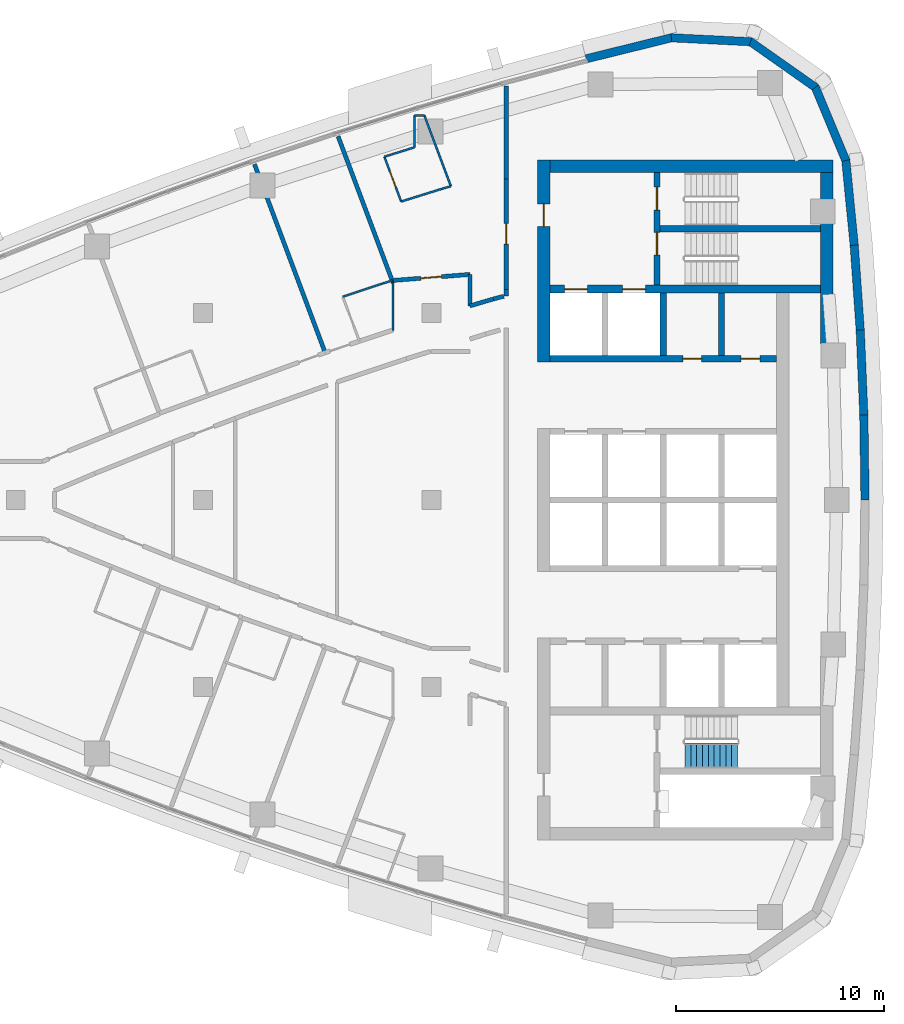
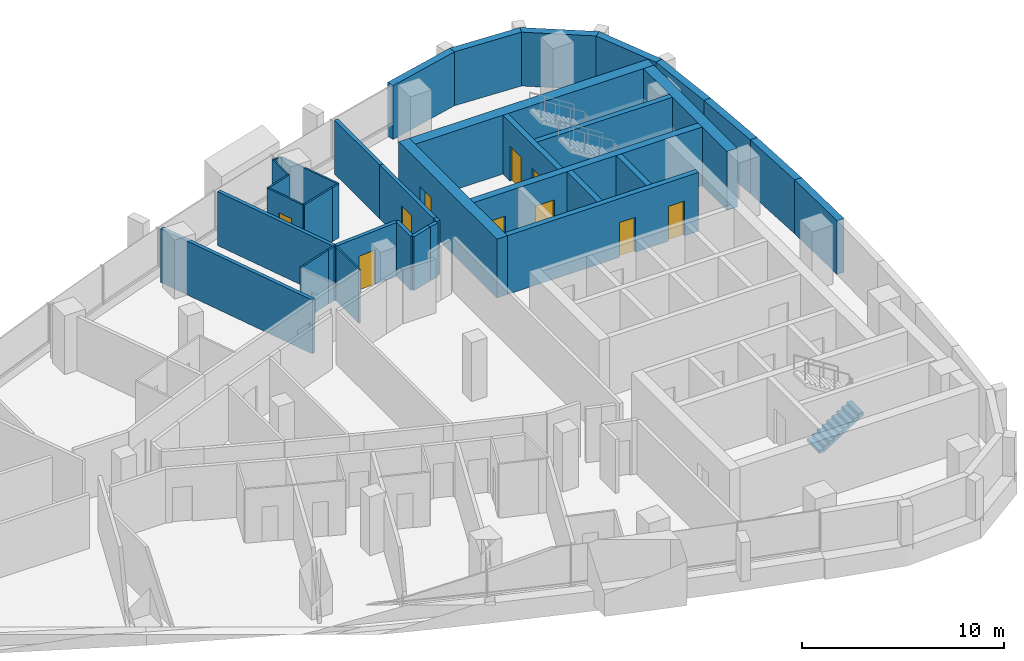
# One storey, part 11 of 16: 36 walls, 10 doors, 1 stair flight, 10 openings, 1 element without a shape of its own.
"""IFC4 building model written with IfcOpenShell, lengths in metres."""

from ifc_helpers import new_model, si_unit, direction, frame, frame_2d, origin, place, context, subcontext, project, spatial, polyline, rectangle, outline, extrude, material, layer, layer_set, type_object, element, fill, aggregate, save


model = new_model("IFC4")

# Units and contexts
model_context = context("Model", 3, precision=1e-05, world=origin(), true_north=direction((0.0, 1.0)))
body_context = subcontext(model_context, "Body", "Model", "MODEL_VIEW")
ifc_project = project(units=[si_unit("LENGTHUNIT", "METRE"), si_unit("AREAUNIT", "SQUARE_METRE"), si_unit("VOLUMEUNIT", "CUBIC_METRE"), si_unit("PLANEANGLEUNIT", "RADIAN"), si_unit("MASSUNIT", "GRAM", prefix="KILO")], contexts=[model_context])

# Site, building, storey
site_placement = place(None, origin())
site = spatial("IfcSite", under=ifc_project, at=site_placement, CompositionType="ELEMENT")
building_placement = place(site_placement, origin())
building = spatial("IfcBuilding", under=site, at=building_placement, Name="Ostrand Prow Hotel Tower", CompositionType="ELEMENT")
storey_placement = place(building_placement, frame((0.0, 0.0, 220.800048828125)))
storey = spatial("IfcBuildingStorey", under=building, at=storey_placement, Name="L55", CompositionType="ELEMENT", Elevation=220.800048828125)

# Wall, openings, doors
ifc_material_1 = material(Name="Concrete C50/60", Category="concrete")
ifc_layer_1 = layer(ifc_material_1, 0.300048828125)
ifc_layer_set_1 = layer_set([ifc_layer_1], Name="Concrete C50/60")
wall_type_1 = type_object("IfcWallType", Name="Core wall 300 C50/60", PredefinedType="SHEAR", material=ifc_layer_set_1)
wall_1_placement = place(storey_placement, frame((50.699951171875, 6.800048828125, 0.0), z_axis=(0.0, 0.0, 1.0), x_axis=(1.0, 0.0, 0.0)))
wall_1 = element("IfcWall", 1, at=wall_1_placement, inside=storey, type_object=wall_type_1, Name="Core wall PW-L2-N", PredefinedType="SHEAR", context=body_context, shape_type="SweptSolid", body=[
    extrude(rectangle(XDim=10.900146484375, YDim=0.300048828125, at=frame_2d((5.4501953125, 0.0))), origin(), (0.0, 0.0, 1.0), 3.550048828125),
])
opening_1_placement = place(wall_1_placement, frame((6.39990234375, 0.0, 0.0)))
opening_1 = element("IfcOpeningElement", 2, at=opening_1_placement, cuts=wall_1, Name="Opening FD2", PredefinedType="OPENING", context=body_context, shape_type="SweptSolid", body=[
    extrude(rectangle(XDim=0.89990234375, YDim=2.10009765625, at=frame_2d((0.449951171875, 1.050048828125))), frame((0.0, 0.159912109375, 0.0), z_axis=(0.0, -1.0, 0.0), x_axis=(1.0, 0.0, 0.0)), (0.0, 0.0, 1.0), 0.320068359375),
])
opening_2_placement = place(wall_1_placement, frame((9.199951171875, 0.0, 0.0)))
opening_2 = element("IfcOpeningElement", 3, at=opening_2_placement, cuts=wall_1, Name="Opening FD2", PredefinedType="OPENING", context=body_context, shape_type="SweptSolid", body=[
    extrude(rectangle(XDim=0.89990234375, YDim=2.10009765625, at=frame_2d((0.449951171875, 1.050048828125))), frame((0.0, 0.159912109375, 0.0), z_axis=(0.0, -1.0, 0.0), x_axis=(1.0, 0.0, 0.0)), (0.0, 0.0, 1.0), 0.320068359375),
])
ifc_material_2 = material(Name="Steel fire door", Category="steel")
door_type_1 = type_object("IfcDoorType", Name="Fire door 900 EI120", OperationType="SINGLE_SWING_LEFT", PredefinedType="DOOR", material=ifc_material_2)
door_1_placement = place(opening_1_placement, origin())
door_1 = element("IfcDoor", 4, at=door_1_placement, inside=storey, type_object=door_type_1, Name="DOOR", OperationType="SINGLE_SWING_LEFT", OverallHeight=2.10009765625, OverallWidth=0.89990234375, PredefinedType="DOOR", context=body_context, shape_type="SweptSolid", body=[
    extrude(rectangle(XDim=0.89990234375, YDim=2.10009765625, at=frame_2d((0.449951171875, 1.050048828125))), frame((0.0, 0.02490234375, 0.0), z_axis=(0.0, -1.0, 0.0), x_axis=(1.0, 0.0, 0.0)), (0.0, 0.0, 1.0), 0.050048828125),
])
fill(opening_1, door_1)
door_2_placement = place(opening_2_placement, origin())
door_2 = element("IfcDoor", 5, at=door_2_placement, inside=storey, type_object=door_type_1, Name="DOOR", OperationType="SINGLE_SWING_LEFT", OverallHeight=2.10009765625, OverallWidth=0.89990234375, PredefinedType="DOOR", context=body_context, shape_type="SweptSolid", body=[
    extrude(rectangle(XDim=0.89990234375, YDim=2.10009765625, at=frame_2d((0.449951171875, 1.050048828125))), frame((0.0, 0.02490234375, 0.0), z_axis=(0.0, -1.0, 0.0), x_axis=(1.0, 0.0, 0.0)), (0.0, 0.0, 1.0), 0.050048828125),
])
fill(opening_2, door_2)

# Walls
for number, where, z_axis, x_axis, name in (
    (6, (56.14990234375, 6.949951171875, 0.0), (0.0, 0.0, 1.0), (0.0, 1.0, 0.0), "Core wall PW-R2-NA"),
    (7, (58.949951171875, 6.949951171875, 0.0), (0.0, 0.0, 1.0), (0.0, 1.0, 0.0), "Core wall PW-R3-NA"),
):
    element("IfcWall", number, at=place(storey_placement, frame(where, z_axis=z_axis, x_axis=x_axis)), inside=storey, type_object=wall_type_1, Name=name, PredefinedType="SHEAR", context=body_context, shape_type="SweptSolid", body=[
        extrude(rectangle(XDim=3.0, YDim=0.300048828125, at=frame_2d((1.5, 0.0))), origin(), (0.0, 0.0, 1.0), 3.550048828125),
    ])

# Wall, openings, doors
wall_2_placement = place(storey_placement, frame((55.85009765625, 10.35009765625, 0.0), z_axis=(0.0, 0.0, 1.0), x_axis=(0.0, 1.0, 0.0)))
wall_2 = element("IfcWall", 8, at=wall_2_placement, inside=storey, type_object=wall_type_1, Name="Core wall PW-VN", PredefinedType="SHEAR", context=body_context, shape_type="SweptSolid", body=[
    extrude(rectangle(XDim=5.39990234375, YDim=0.300048828125, at=frame_2d((2.699951171875, 0.0))), origin(), (0.0, 0.0, 1.0), 3.550048828125),
])
opening_3_placement = place(wall_2_placement, frame((1.429931640625, 0.0, 0.0)))
opening_3 = element("IfcOpeningElement", 9, at=opening_3_placement, cuts=wall_2, Name="Opening FD1", PredefinedType="OPENING", context=body_context, shape_type="SweptSolid", body=[
    extrude(rectangle(XDim=1.10009765625, YDim=2.10009765625, at=frame_2d((0.550048828125, 1.050048828125))), frame((0.0, 0.159912109375, 0.0), z_axis=(0.0, -1.0, 0.0), x_axis=(1.0, 0.0, 0.0)), (0.0, 0.0, 1.0), 0.320068359375),
])
opening_4_placement = place(wall_2_placement, frame((3.60009765625, 0.0, 0.0)))
opening_4 = element("IfcOpeningElement", 10, at=opening_4_placement, cuts=wall_2, Name="Opening FD1", PredefinedType="OPENING", context=body_context, shape_type="SweptSolid", body=[
    extrude(rectangle(XDim=1.10009765625, YDim=2.10009765625, at=frame_2d((0.550048828125, 1.050048828125))), frame((0.0, 0.159912109375, 0.0), z_axis=(0.0, -1.0, 0.0), x_axis=(1.0, 0.0, 0.0)), (0.0, 0.0, 1.0), 0.320068359375),
])
ifc_material_3 = material(Name="Steel fire door", Category="steel")
door_type_2 = type_object("IfcDoorType", Name="Fire door 1100 EI120", OperationType="SINGLE_SWING_RIGHT", PredefinedType="DOOR", material=ifc_material_3)
door_3_placement = place(opening_3_placement, origin())
door_3 = element("IfcDoor", 11, at=door_3_placement, inside=storey, type_object=door_type_2, Name="FIRE DOOR", OperationType="SINGLE_SWING_RIGHT", OverallHeight=2.10009765625, OverallWidth=1.10009765625, PredefinedType="DOOR", context=body_context, shape_type="SweptSolid", body=[
    extrude(rectangle(XDim=1.10009765625, YDim=2.10009765625, at=frame_2d((0.550048828125, 1.050048828125))), frame((0.0, 0.02490234375, 0.0), z_axis=(0.0, -1.0, 0.0), x_axis=(1.0, 0.0, 0.0)), (0.0, 0.0, 1.0), 0.050048828125),
])
fill(opening_3, door_3)
door_4_placement = place(opening_4_placement, origin())
door_4 = element("IfcDoor", 12, at=door_4_placement, inside=storey, type_object=door_type_2, Name="FIRE DOOR", OperationType="SINGLE_SWING_RIGHT", OverallHeight=2.10009765625, OverallWidth=1.10009765625, PredefinedType="DOOR", context=body_context, shape_type="SweptSolid", body=[
    extrude(rectangle(XDim=1.10009765625, YDim=2.10009765625, at=frame_2d((0.550048828125, 1.050048828125))), frame((0.0, 0.02490234375, 0.0), z_axis=(0.0, -1.0, 0.0), x_axis=(1.0, 0.0, 0.0)), (0.0, 0.0, 1.0), 0.050048828125),
])
fill(opening_4, door_4)

# Wall
wall_3_placement = place(storey_placement, frame((56.0, 13.050048828125, 0.0), z_axis=(0.0, 0.0, 1.0), x_axis=(1.0, 0.0, 0.0)))
element("IfcWall", 13, at=wall_3_placement, inside=storey, type_object=wall_type_1, Name="Core wall PW-ST13", PredefinedType="SHEAR", context=body_context, shape_type="SweptSolid", body=[
    extrude(rectangle(XDim=7.719970703125, YDim=0.300048828125, at=frame_2d((3.85986328125, 0.0))), origin(), (0.0, 0.0, 1.0), 3.550048828125),
])

# Wall, openings, doors
ifc_material_4 = material(Name="Concrete C50/60", Category="concrete")
ifc_layer_2 = layer(ifc_material_4, 0.39990234375)
ifc_layer_set_2 = layer_set([ifc_layer_2], Name="Concrete C50/60")
wall_type_2 = type_object("IfcWallType", Name="Core wall 400 C50/60", PredefinedType="SHEAR", material=ifc_layer_set_2)
wall_4_placement = place(storey_placement, frame((50.699951171875, 10.14990234375, 0.0), z_axis=(0.0, 0.0, 1.0), x_axis=(1.0, 0.0, 0.0)))
wall_4 = element("IfcWall", 14, at=wall_4_placement, inside=storey, type_object=wall_type_2, Name="Core wall PW-BN", PredefinedType="SHEAR", context=body_context, shape_type="SweptSolid", body=[
    extrude(rectangle(XDim=13.02001953125, YDim=0.39990234375, at=frame_2d((6.510009765625, 0.0))), origin(), (0.0, 0.0, 1.0), 3.550048828125),
])
opening_5_placement = place(wall_4_placement, frame((0.699951171875, 0.0, 0.0)))
opening_5 = element("IfcOpeningElement", 15, at=opening_5_placement, cuts=wall_4, Name="Opening LD", PredefinedType="OPENING", context=body_context, shape_type="SweptSolid", body=[
    extrude(rectangle(XDim=1.10009765625, YDim=2.10009765625, at=frame_2d((0.550048828125, 1.050048828125))), frame((0.0, 0.2099609375, 0.0), z_axis=(0.0, -1.0, 0.0), x_axis=(1.0, 0.0, 0.0)), (0.0, 0.0, 1.0), 0.419921875),
])
opening_6_placement = place(wall_4_placement, frame((3.5, 0.0, 0.0)))
opening_6 = element("IfcOpeningElement", 16, at=opening_6_placement, cuts=wall_4, Name="Opening LD", PredefinedType="OPENING", context=body_context, shape_type="SweptSolid", body=[
    extrude(rectangle(XDim=1.10009765625, YDim=2.10009765625, at=frame_2d((0.550048828125, 1.050048828125))), frame((0.0, 0.2099609375, 0.0), z_axis=(0.0, -1.0, 0.0), x_axis=(1.0, 0.0, 0.0)), (0.0, 0.0, 1.0), 0.419921875),
])
ifc_material_5 = material(Name="Stainless steel door", Category="steel")
door_type_3 = type_object("IfcDoorType", Name="Lift landing door 1100", OperationType="DOUBLE_DOOR_SLIDING", PredefinedType="DOOR", material=ifc_material_5)
door_5_placement = place(opening_5_placement, origin())
door_5 = element("IfcDoor", 17, at=door_5_placement, inside=storey, type_object=door_type_3, Name="LIFT LANDING DOOR", OperationType="DOUBLE_DOOR_SLIDING", OverallHeight=2.10009765625, OverallWidth=1.10009765625, PredefinedType="DOOR", context=body_context, shape_type="SweptSolid", body=[
    extrude(rectangle(XDim=1.10009765625, YDim=2.10009765625, at=frame_2d((0.550048828125, 1.050048828125))), frame((0.0, 0.02490234375, 0.0), z_axis=(0.0, -1.0, 0.0), x_axis=(1.0, 0.0, 0.0)), (0.0, 0.0, 1.0), 0.050048828125),
])
fill(opening_5, door_5)
door_6_placement = place(opening_6_placement, origin())
door_6 = element("IfcDoor", 18, at=door_6_placement, inside=storey, type_object=door_type_3, Name="LIFT LANDING DOOR", OperationType="DOUBLE_DOOR_SLIDING", OverallHeight=2.10009765625, OverallWidth=1.10009765625, PredefinedType="DOOR", context=body_context, shape_type="SweptSolid", body=[
    extrude(rectangle(XDim=1.10009765625, YDim=2.10009765625, at=frame_2d((0.550048828125, 1.050048828125))), frame((0.0, 0.02490234375, 0.0), z_axis=(0.0, -1.0, 0.0), x_axis=(1.0, 0.0, 0.0)), (0.0, 0.0, 1.0), 0.050048828125),
])
fill(opening_6, door_6)

# Wall, opening, door
ifc_material_6 = material(Name="Concrete C50/60", Category="concrete")
ifc_layer_3 = layer(ifc_material_6, 0.60009765625)
ifc_layer_set_3 = layer_set([ifc_layer_3], Name="Concrete C50/60")
wall_type_3 = type_object("IfcWallType", Name="Core wall 600 C50/60", PredefinedType="SHEAR", material=ifc_layer_set_3)
wall_5_placement = place(storey_placement, frame((50.39990234375, 6.64990234375, 0.0), z_axis=(0.0, 0.0, 1.0), x_axis=(0.0, 1.0, 0.0)))
wall_5 = element("IfcWall", 19, at=wall_5_placement, inside=storey, type_object=wall_type_3, Name="Core wall CW-W-N", PredefinedType="SHEAR", context=body_context, shape_type="SweptSolid", body=[
    extrude(rectangle(XDim=9.7001953125, YDim=0.60009765625, at=frame_2d((4.85009765625, 0.0))), origin(), (0.0, 0.0, 1.0), 3.550048828125),
])
opening_7_placement = place(wall_5_placement, frame((6.5, 0.0, 0.0)))
opening_7 = element("IfcOpeningElement", 20, at=opening_7_placement, cuts=wall_5, Name="Opening FD1", PredefinedType="OPENING", context=body_context, shape_type="SweptSolid", body=[
    extrude(rectangle(XDim=1.10009765625, YDim=2.10009765625, at=frame_2d((0.550048828125, 1.050048828125))), frame((0.0, 0.31005859375, 0.0), z_axis=(0.0, -1.0, 0.0), x_axis=(1.0, 0.0, 0.0)), (0.0, 0.0, 1.0), 0.6201171875),
])
door_7_placement = place(opening_7_placement, origin())
door_7 = element("IfcDoor", 21, at=door_7_placement, inside=storey, type_object=door_type_2, Name="FIRE DOOR", OperationType="SINGLE_SWING_RIGHT", OverallHeight=2.10009765625, OverallWidth=1.10009765625, PredefinedType="DOOR", context=body_context, shape_type="SweptSolid", body=[
    extrude(rectangle(XDim=1.10009765625, YDim=2.10009765625, at=frame_2d((0.550048828125, 1.050048828125))), frame((0.0, 0.02490234375, 0.0), z_axis=(0.0, -1.0, 0.0), x_axis=(1.0, 0.0, 0.0)), (0.0, 0.0, 1.0), 0.050048828125),
])
fill(opening_7, door_7)

# Walls
wall_6_placement = place(storey_placement, frame((50.699951171875, 16.050048828125, 0.0), z_axis=(0.0, 0.0, 1.0), x_axis=(1.0, 0.0, 0.0)))
element("IfcWall", 22, at=wall_6_placement, inside=storey, type_object=wall_type_3, Name="Core wall CW-N", PredefinedType="SHEAR", context=body_context, shape_type="SweptSolid", body=[
    extrude(rectangle(XDim=13.6201171875, YDim=0.60009765625, at=frame_2d((6.81005859375, 0.0))), origin(), (0.0, 0.0, 1.0), 3.550048828125),
])
wall_7_placement = place(storey_placement, frame((64.02001953125, 7.502197265625, 0.0), z_axis=(0.0, 0.0, 1.0), x_axis=(0.0, 1.0, 0.0)))
element("IfcWall", 23, at=wall_7_placement, inside=storey, type_object=wall_type_3, Name="Core wall CW-E-N", PredefinedType="SHEAR", context=body_context, shape_type="SweptSolid", body=[
    extrude(rectangle(XDim=8.247802734375, YDim=0.60009765625, at=frame_2d((4.1240234375, 0.0))), origin(), (0.0, 0.0, 1.0), 3.550048828125),
])
ifc_material_7 = material(Name="Plasterboard partition")
ifc_layer_4 = layer(ifc_material_7, 0.10009765625)
ifc_layer_set_4 = layer_set([ifc_layer_4], Name="Plasterboard partition")
wall_type_4 = type_object("IfcWallType", Name="Partition 100 bathroom wall", PredefinedType="PARTITIONING", material=ifc_layer_set_4)
wall_8_placement = place(storey_placement, frame((40.731689453125, 9.778564453125, 0.0), z_axis=(0.0, 0.0, 1.0), x_axis=(0.948499248693, 0.316779379426, 0.0)))
element("IfcWall", 24, at=wall_8_placement, inside=storey, type_object=wall_type_4, Name="BATHROOM WALL", PredefinedType="PARTITIONING", context=body_context, shape_type="SweptSolid", body=[
    extrude(rectangle(XDim=1.991455078125, YDim=0.10009765625, at=frame_2d((0.99560546875, 0.0))), origin(), (0.0, 0.0, 1.0), 3.25),
])
wall_9_placement = place(storey_placement, frame((42.62060546875, 10.409423828125, 0.0), z_axis=(0.0, 0.0, 1.0), x_axis=(0.954624465478, 0.297812239356, 0.0)))
element("IfcWall", 25, at=wall_9_placement, inside=storey, type_object=wall_type_4, Name="BATHROOM WALL", PredefinedType="PARTITIONING", context=body_context, shape_type="SweptSolid", body=[
    extrude(rectangle(XDim=0.5107421875, YDim=0.10009765625, at=frame_2d((0.25537109375, 0.0))), origin(), (0.0, 0.0, 1.0), 3.25),
])
wall_10_placement = place(storey_placement, frame((42.731201171875, 16.519287109375, 0.0), z_axis=(0.0, 0.0, 1.0), x_axis=(0.954631901927, 0.297788401091, 0.0)))
element("IfcWall", 26, at=wall_10_placement, inside=storey, type_object=wall_type_4, Name="BATHROOM WALL", PredefinedType="PARTITIONING", context=body_context, shape_type="SweptSolid", body=[
    extrude(rectangle(XDim=1.51416015625, YDim=0.10009765625, at=frame_2d((0.757080078125, 0.0))), origin(), (0.0, 0.0, 1.0), 3.25),
])
wall_11_placement = place(storey_placement, frame((44.1767578125, 16.97021484375, 0.0), z_axis=(0.0, 0.0, 1.0), x_axis=(0.0, 1.0, 0.0)))
element("IfcWall", 27, at=wall_11_placement, inside=storey, type_object=wall_type_4, Name="BATHROOM WALL", PredefinedType="PARTITIONING", context=body_context, shape_type="SweptSolid", body=[
    extrude(rectangle(XDim=1.531005859375, YDim=0.10009765625, at=frame_2d((0.765625, 0.0))), origin(), (0.0, 0.0, 1.0), 3.25),
])
wall_12_placement = place(storey_placement, frame((44.1767578125, 18.501220703125, 0.0), z_axis=(0.0, 0.0, 1.0), x_axis=(1.0, 0.0, 0.0)))
element("IfcWall", 28, at=wall_12_placement, inside=storey, type_object=wall_type_4, Name="BATHROOM WALL", PredefinedType="PARTITIONING", context=body_context, shape_type="SweptSolid", body=[
    extrude(rectangle(XDim=0.4814453125, YDim=0.10009765625, at=frame_2d((0.24072265625, 0.0))), origin(), (0.0, 0.0, 1.0), 3.25),
])
wall_13_placement = place(storey_placement, frame((45.93359375, 15.09912109375, 0.0), z_axis=(0.0, 0.0, 1.0), x_axis=(-0.960560469191, -0.278071186978, 0.0)))
element("IfcWall", 29, at=wall_13_placement, inside=storey, type_object=wall_type_4, Name="BATHROOM WALL", PredefinedType="PARTITIONING", context=body_context, shape_type="SweptSolid", body=[
    extrude(rectangle(XDim=0.4521484375, YDim=0.10009765625, at=frame_2d((0.22607421875, 0.0))), origin(), (0.0, 0.0, 1.0), 3.25),
])
wall_14_placement = place(storey_placement, frame((45.499267578125, 14.973388671875, 0.0), z_axis=(0.0, 0.0, 1.0), x_axis=(-0.954642821531, -0.297753393432, 0.0)))
element("IfcWall", 30, at=wall_14_placement, inside=storey, type_object=wall_type_4, Name="BATHROOM WALL", PredefinedType="PARTITIONING", context=body_context, shape_type="SweptSolid", body=[
    extrude(rectangle(XDim=2.05224609375, YDim=0.10009765625, at=frame_2d((1.026123046875, 0.0))), origin(), (0.0, 0.0, 1.0), 3.25),
])

# Wall, opening, door
wall_15_placement = place(storey_placement, frame((43.5400390625, 14.3623046875, 0.0), z_axis=(0.0, 0.0, 1.0), x_axis=(-0.351111827312, 0.936333532841, 0.0)))
wall_15 = element("IfcWall", 31, at=wall_15_placement, inside=storey, type_object=wall_type_4, Name="BATHROOM WALL", PredefinedType="PARTITIONING", context=body_context, shape_type="SweptSolid", body=[
    extrude(rectangle(XDim=2.3037109375, YDim=0.10009765625, at=frame_2d((1.15185546875, 0.0))), origin(), (0.0, 0.0, 1.0), 3.25),
])
opening_8_placement = place(wall_15_placement, frame((0.75, 0.0, 0.0)))
opening_8 = element("IfcOpeningElement", 32, at=opening_8_placement, cuts=wall_15, Name="Opening D2", PredefinedType="OPENING", context=body_context, shape_type="SweptSolid", body=[
    extrude(rectangle(XDim=0.800048828125, YDim=2.10009765625, at=frame_2d((0.39990234375, 1.050048828125))), frame((0.0, 0.06005859375, 0.0), z_axis=(0.0, -1.0, 0.0), x_axis=(1.0, 0.0, 0.0)), (0.0, 0.0, 1.0), 0.1201171875),
])
ifc_material_8 = material(Name="Timber door leaf", Category="wood")
door_type_4 = type_object("IfcDoorType", Name="Bathroom door 800", OperationType="SINGLE_SWING_LEFT", PredefinedType="DOOR", material=ifc_material_8)
door_8_placement = place(opening_8_placement, origin())
door_8 = element("IfcDoor", 33, at=door_8_placement, inside=storey, type_object=door_type_4, Name="DOOR", OperationType="SINGLE_SWING_LEFT", OverallHeight=2.10009765625, OverallWidth=0.800048828125, PredefinedType="DOOR", context=body_context, shape_type="SweptSolid", body=[
    extrude(rectangle(XDim=0.800048828125, YDim=2.10009765625, at=frame_2d((0.39990234375, 1.050048828125))), frame((0.0, 0.02490234375, 0.0), z_axis=(0.0, -1.0, 0.0), x_axis=(1.0, 0.0, 0.0)), (0.0, 0.0, 1.0), 0.050048828125),
])
fill(opening_8, door_8)

# Walls
wall_16_placement = place(storey_placement, frame((43.14501953125, 10.46337890625, 0.0), z_axis=(0.0, 0.0, 1.0), x_axis=(0.0, -1.0, 0.0)))
element("IfcWall", 34, at=wall_16_placement, inside=storey, type_object=wall_type_4, Name="BATHROOM WALL", PredefinedType="PARTITIONING", context=body_context, shape_type="SweptSolid", body=[
    extrude(rectangle(XDim=2.29833984375, YDim=0.10009765625, at=frame_2d((1.149169921875, 0.0))), origin(), (0.0, 0.0, 1.0), 3.25),
])
wall_17_placement = place(storey_placement, frame((44.658203125, 18.501220703125, 0.0), z_axis=(0.0, 0.0, 1.0), x_axis=(0.351027709609, -0.936365071479, 0.0)))
element("IfcWall", 35, at=wall_17_placement, inside=storey, type_object=wall_type_4, Name="BATHROOM WALL", PredefinedType="PARTITIONING", context=body_context, shape_type="SweptSolid", body=[
    extrude(rectangle(XDim=3.63330078125, YDim=0.10009765625, at=frame_2d((1.816650390625, 0.0))), origin(), (0.0, 0.0, 1.0), 3.25),
])
ifc_material_9 = material(Name="Plasterboard partition")
ifc_layer_5 = layer(ifc_material_9, 0.199951171875)
ifc_layer_set_5 = layer_set([ifc_layer_5], Name="Plasterboard partition")
wall_type_5 = type_object("IfcWallType", Name="Partition 200 corridor wall", PredefinedType="PARTITIONING", material=ifc_layer_set_5)
wall_18_placement = place(storey_placement, frame((47.96923828125, 9.67138671875, 0.0), z_axis=(0.0, 0.0, 1.0), x_axis=(-0.958867721668, -0.283853293696, 0.0)))
element("IfcWall", 36, at=wall_18_placement, inside=storey, type_object=wall_type_5, Name="CORRIDOR WALL", PredefinedType="PARTITIONING", context=body_context, shape_type="SweptSolid", body=[
    extrude(rectangle(XDim=1.167236328125, YDim=0.199951171875, at=frame_2d((0.58349609375, 0.0))), origin(), (0.0, 0.0, 1.0), 3.25),
])

# Wall, opening, door
wall_19_placement = place(storey_placement, frame((48.594970703125, 15.455078125, 0.0), z_axis=(0.0, 0.0, 1.0), x_axis=(0.0, -1.0, 0.0)))
wall_19 = element("IfcWall", 37, at=wall_19_placement, inside=storey, type_object=wall_type_5, Name="CORRIDOR WALL", PredefinedType="PARTITIONING", context=body_context, shape_type="SweptSolid", body=[
    extrude(rectangle(XDim=5.322021484375, YDim=0.199951171875, at=frame_2d((2.6611328125, 0.0))), origin(), (0.0, 0.0, 1.0), 3.25),
])
opening_9_placement = place(wall_19_placement, frame((2.14697265625, 0.0, 0.0)))
opening_9 = element("IfcOpeningElement", 38, at=opening_9_placement, cuts=wall_19, Name="Opening D1R", PredefinedType="OPENING", context=body_context, shape_type="SweptSolid", body=[
    extrude(rectangle(XDim=1.0, YDim=2.10009765625, at=frame_2d((0.5, 1.050048828125))), frame((0.0, 0.10986328125, 0.0), z_axis=(0.0, -1.0, 0.0), x_axis=(1.0, 0.0, 0.0)), (0.0, 0.0, 1.0), 0.219970703125),
])
ifc_material_10 = material(Name="Timber door leaf", Category="wood")
door_type_5 = type_object("IfcDoorType", Name="Guest room door 1000 right", OperationType="SINGLE_SWING_RIGHT", PredefinedType="DOOR", material=ifc_material_10)
door_9_placement = place(opening_9_placement, origin())
door_9 = element("IfcDoor", 39, at=door_9_placement, inside=storey, type_object=door_type_5, Name="DOOR", OperationType="SINGLE_SWING_RIGHT", OverallHeight=2.10009765625, OverallWidth=1.0, PredefinedType="DOOR", context=body_context, shape_type="SweptSolid", body=[
    extrude(rectangle(XDim=1.0, YDim=2.10009765625, at=frame_2d((0.5, 1.050048828125))), frame((0.0, 0.02490234375, 0.0), z_axis=(0.0, -1.0, 0.0), x_axis=(1.0, 0.0, 0.0)), (0.0, 0.0, 1.0), 0.050048828125),
])
fill(opening_9, door_9)

wall_20_placement = place(storey_placement, frame((46.85107421875, 10.85498046875, 0.0), z_axis=(0.0, 0.0, 1.0), x_axis=(-0.996940593543, -0.078162989617, 0.0)))
wall_20 = element("IfcWall", 40, at=wall_20_placement, inside=storey, type_object=wall_type_5, Name="CORRIDOR WALL", PredefinedType="PARTITIONING", context=body_context, shape_type="SweptSolid", body=[
    extrude(rectangle(XDim=3.704345703125, YDim=0.199951171875, at=frame_2d((1.85205078125, 0.0))), origin(), (0.0, 0.0, 1.0), 3.25),
])
opening_10_placement = place(wall_20_placement, frame((1.376953125, 0.0, 0.0)))
opening_10 = element("IfcOpeningElement", 41, at=opening_10_placement, cuts=wall_20, Name="Opening D1", PredefinedType="OPENING", context=body_context, shape_type="SweptSolid", body=[
    extrude(rectangle(XDim=1.0, YDim=2.10009765625, at=frame_2d((0.5, 1.050048828125))), frame((0.0, 0.10986328125, 0.0), z_axis=(0.0, -1.0, 0.0), x_axis=(1.0, 0.0, 0.0)), (0.0, 0.0, 1.0), 0.219970703125),
])
ifc_material_11 = material(Name="Timber door leaf", Category="wood")
door_type_6 = type_object("IfcDoorType", Name="Guest room door 1000", OperationType="SINGLE_SWING_LEFT", PredefinedType="DOOR", material=ifc_material_11)
door_10_placement = place(opening_10_placement, origin())
door_10 = element("IfcDoor", 42, at=door_10_placement, inside=storey, type_object=door_type_6, Name="DOOR", OperationType="SINGLE_SWING_LEFT", OverallHeight=2.10009765625, OverallWidth=1.0, PredefinedType="DOOR", context=body_context, shape_type="SweptSolid", body=[
    extrude(rectangle(XDim=1.0, YDim=2.10009765625, at=frame_2d((0.5, 1.050048828125))), frame((0.0, 0.02490234375, 0.0), z_axis=(0.0, -1.0, 0.0), x_axis=(1.0, 0.0, 0.0)), (0.0, 0.0, 1.0), 0.050048828125),
])
fill(opening_10, door_10)

# Walls
wall_21_placement = place(storey_placement, frame((46.85009765625, 9.340087890625, 0.0), z_axis=(0.0, 0.0, 1.0), x_axis=(0.000644641284, 0.999999792219, 0.0)))
element("IfcWall", 43, at=wall_21_placement, inside=storey, type_object=wall_type_5, Name="CORRIDOR WALL", PredefinedType="PARTITIONING", context=body_context, shape_type="SweptSolid", body=[
    extrude(rectangle(XDim=1.514892578125, YDim=0.199951171875, at=frame_2d((0.75732421875, 0.0))), origin(), (0.0, 0.0, 1.0), 3.25),
])
wall_22_placement = place(storey_placement, frame((48.594970703125, 19.9267578125, 0.0), z_axis=(0.0, 0.0, 1.0), x_axis=(0.0, -1.0, 0.0)))
element("IfcWall", 44, at=wall_22_placement, inside=storey, type_object=wall_type_5, Name="CORRIDOR WALL", PredefinedType="PARTITIONING", context=body_context, shape_type="SweptSolid", body=[
    extrude(rectangle(XDim=4.4716796875, YDim=0.199951171875, at=frame_2d((2.23583984375, 0.0))), origin(), (0.0, 0.0, 1.0), 3.25),
])
wall_23_placement = place(storey_placement, frame((48.594970703125, 10.133056640625, 0.0), z_axis=(0.0, 0.0, 1.0), x_axis=(0.0, -1.0, 0.0)))
element("IfcWall", 45, at=wall_23_placement, inside=storey, type_object=wall_type_5, Name="CORRIDOR WALL", PredefinedType="PARTITIONING", context=body_context, shape_type="SweptSolid", body=[
    extrude(rectangle(XDim=0.31005859375, YDim=0.199951171875, at=frame_2d((0.155029296875, 0.0))), origin(), (0.0, 0.0, 1.0), 3.25),
])
wall_24_placement = place(storey_placement, frame((48.47998046875, 9.80322265625, 0.0), z_axis=(0.0, 0.0, 1.0), x_axis=(-0.968262872428, -0.249934011047, 0.0)))
element("IfcWall", 46, at=wall_24_placement, inside=storey, type_object=wall_type_5, Name="CORRIDOR WALL", PredefinedType="PARTITIONING", context=body_context, shape_type="SweptSolid", body=[
    extrude(rectangle(XDim=0.527587890625, YDim=0.199951171875, at=frame_2d((0.263671875, 0.0))), origin(), (0.0, 0.0, 1.0), 3.25),
])
ifc_material_12 = material(Name="Plasterboard partition")
ifc_layer_6 = layer(ifc_material_12, 0.199951171875)
ifc_layer_set_6 = layer_set([ifc_layer_6], Name="Plasterboard partition")
wall_type_6 = type_object("IfcWallType", Name="Partition 200 key partition", PredefinedType="PARTITIONING", material=ifc_layer_set_6)
wall_25_placement = place(storey_placement, frame((39.889404296875, 7.072265625, 0.0), z_axis=(0.0, 0.0, 1.0), x_axis=(-0.35112895446, 0.936327110224, 0.0)))
element("IfcWall", 47, at=wall_25_placement, inside=storey, type_object=wall_type_6, Name="KEY PARTITION", PredefinedType="PARTITIONING", context=body_context, shape_type="SweptSolid", body=[
    extrude(rectangle(XDim=9.706298828125, YDim=0.199951171875, at=frame_2d((4.85302734375, 0.0))), origin(), (0.0, 0.0, 1.0), 3.25),
])
wall_26_placement = place(storey_placement, frame((43.14990234375, 10.449951171875, 0.0), z_axis=(0.0, 0.0, 1.0), x_axis=(-0.351119888923, 0.936330509811, 0.0)))
element("IfcWall", 48, at=wall_26_placement, inside=storey, type_object=wall_type_6, Name="KEY PARTITION", PredefinedType="PARTITIONING", context=body_context, shape_type="SweptSolid", body=[
    extrude(rectangle(XDim=7.531005859375, YDim=0.199951171875, at=frame_2d((3.765625, 0.0))), origin(), (0.0, 0.0, 1.0), 3.25),
])
ifc_material_13 = material(Name="Precast concrete C40/50", Category="concrete")
ifc_layer_7 = layer(ifc_material_13, 0.39990234375)
ifc_layer_set_7 = layer_set([ifc_layer_7], Name="Precast concrete C40/50")
wall_type_7 = type_object("IfcWallType", Name="Stone-faced precast wall 400 mm", PredefinedType="NOTDEFINED", material=ifc_layer_set_7)
wall_27_placement = place(storey_placement, frame((65.86181640625, 0.0, 0.0), z_axis=(0.0, 0.0, 1.0), x_axis=(-0.014136867892, 0.99990006949, 0.0)))
element("IfcWall", 49, at=wall_27_placement, inside=storey, type_object=wall_type_7, Name="Stone-faced wall back 9", PredefinedType="NOTDEFINED", context=body_context, shape_type="SweptSolid", body=[
    extrude(outline(polyline([(-0.002685546875, -0.199951171875), (4.095703125, -0.199951171875), (4.09033203125, 0.199951171875), (0.002685546875, 0.199951171875), (-0.002685546875, -0.199951171875)])), origin(), (0.0, 0.0, 1.0), 3.25),
])
wall_28_placement = place(storey_placement, frame((65.803955078125, 4.092529296875, 0.0), z_axis=(0.0, 0.0, 1.0), x_axis=(-0.042352554594, 0.999102728011, 0.0)))
element("IfcWall", 50, at=wall_28_placement, inside=storey, type_object=wall_type_7, Name="Stone-faced wall back 10", PredefinedType="NOTDEFINED", context=body_context, shape_type="SweptSolid", body=[
    extrude(outline(polyline([(-0.002685546875, -0.199951171875), (4.095458984375, -0.199951171875), (4.090087890625, 0.199951171875), (0.002685546875, 0.199951171875), (-0.002685546875, -0.199951171875)])), origin(), (0.0, 0.0, 1.0), 3.25),
])
wall_29_placement = place(storey_placement, frame((65.630615234375, 8.181640625, 0.0), z_axis=(0.0, 0.0, 1.0), x_axis=(-0.070623905352, 0.997503014528, 0.0)))
element("IfcWall", 51, at=wall_29_placement, inside=storey, type_object=wall_type_7, Name="Stone-faced wall back 11", PredefinedType="NOTDEFINED", context=body_context, shape_type="SweptSolid", body=[
    extrude(outline(polyline([(-0.002685546875, -0.199951171875), (4.095703125, -0.199951171875), (4.09033203125, 0.199951171875), (0.002685546875, 0.199951171875), (-0.002685546875, -0.199951171875)])), origin(), (0.0, 0.0, 1.0), 3.25),
])
wall_30_placement = place(storey_placement, frame((65.341552734375, 12.264404296875, 0.0), z_axis=(0.0, 0.0, 1.0), x_axis=(-0.098718218066, 0.995115427185, 0.0)))
element("IfcWall", 52, at=wall_30_placement, inside=storey, type_object=wall_type_7, Name="Stone-faced wall back 12", PredefinedType="NOTDEFINED", context=body_context, shape_type="SweptSolid", body=[
    extrude(outline(polyline([(-0.002685546875, -0.199951171875), (4.122802734375, -0.199951171875), (4.063232421875, 0.199951171875), (0.002685546875, 0.199951171875), (-0.002685546875, -0.199951171875)])), origin(), (0.0, 0.0, 1.0), 3.25),
])
wall_31_placement = place(storey_placement, frame((64.9375, 16.33740234375, 0.0), z_axis=(0.0, 0.0, 1.0), x_axis=(-0.3844335483, 0.923152667191, 0.0)))
element("IfcWall", 53, at=wall_31_placement, inside=storey, type_object=wall_type_7, Name="Stone-faced wall back 13", PredefinedType="NOTDEFINED", context=body_context, shape_type="SweptSolid", body=[
    extrude(outline(polyline([(-0.02978515625, -0.199951171875), (3.871337890625, -0.199951171875), (3.755615234375, 0.199951171875), (0.02978515625, 0.199951171875), (-0.02978515625, -0.199951171875)])), origin(), (0.0, 0.0, 1.0), 3.25),
])
wall_32_placement = place(storey_placement, frame((63.471435546875, 19.85791015625, 0.0), z_axis=(0.0, 0.0, 1.0), x_axis=(-0.817942545532, 0.575299915009, 0.0)))
element("IfcWall", 54, at=wall_32_placement, inside=storey, type_object=wall_type_7, Name="Stone-faced wall back 14", PredefinedType="NOTDEFINED", context=body_context, shape_type="SweptSolid", body=[
    extrude(outline(polyline([(-0.057861328125, -0.199951171875), (3.871337890625, -0.199951171875), (3.755615234375, 0.199951171875), (0.057861328125, 0.199951171875), (-0.057861328125, -0.199951171875)])), origin(), (0.0, 0.0, 1.0), 3.25),
])
wall_33_placement = place(storey_placement, frame((60.352294921875, 22.0517578125, 0.0), z_axis=(0.0, 0.0, 1.0), x_axis=(-0.998758875872, 0.049806705046, 0.0)))
element("IfcWall", 55, at=wall_33_placement, inside=storey, type_object=wall_type_7, Name="Stone-faced wall back 15", PredefinedType="NOTDEFINED", context=body_context, shape_type="SweptSolid", body=[
    extrude(outline(polyline([(-0.057861328125, -0.199951171875), (3.8427734375, -0.199951171875), (3.7841796875, 0.199951171875), (0.057861328125, 0.199951171875), (-0.057861328125, -0.199951171875)])), origin(), (0.0, 0.0, 1.0), 3.25),
])
wall_34_placement = place(storey_placement, frame((56.54345703125, 22.24169921875, 0.0), z_axis=(0.0, 0.0, 1.0), x_axis=(-0.970902342456, -0.23947576373, 0.0)))
element("IfcWall", 56, at=wall_34_placement, inside=storey, type_object=wall_type_7, Name="Stone-faced wall back 16", PredefinedType="NOTDEFINED", context=body_context, shape_type="SweptSolid", body=[
    extrude(outline(polyline([(-0.029296875, -0.199951171875), (4.225830078125, -0.199951171875), (4.225830078125, 0.199951171875), (0.029296875, 0.199951171875), (-0.029296875, -0.199951171875)])), origin(), (0.0, 0.0, 1.0), 3.25),
])

# Stair, stair flight
ifc_material_14 = material(Name="Concrete C40/50", Category="concrete")
stair_type = type_object("IfcStairType", Name="Exit stair 1200 upper zone", PredefinedType="HALF_TURN_STAIR", material=ifc_material_14)
stair_placement = place(storey_placement, origin())
stair = element("IfcStair", 57, at=stair_placement, inside=storey, type_object=stair_type, Name="L55 ST2C", PredefinedType="HALF_TURN_STAIR")
ifc_material_15 = material(Name="Concrete C40/50", Category="concrete")
stair_flight_type = type_object("IfcStairFlightType", Name="Stair flight 1200 concrete", PredefinedType="STRAIGHT", material=ifc_material_15)
stair_flight_placement = place(storey_placement, frame((57.199951171875, -12.300048828125, 0.0), z_axis=(0.0, 0.0, 1.0), x_axis=(1.0, 0.0, 0.0)))
stair_flight = element("IfcStairFlight", 58, at=stair_flight_placement, type_object=stair_flight_type, Name="ST2C flight 1", NumberOfRisers=10, NumberOfTreads=9, PredefinedType="STRAIGHT", RiserHeight=0.1775, TreadLength=0.28, context=body_context, shape_type="SweptSolid", body=[
    extrude(outline(polyline([(0.0, 0.0), (0.0, 0.177490234375), (0.280029296875, 0.177490234375), (0.280029296875, 0.35498046875), (0.56005859375, 0.35498046875), (0.56005859375, 0.532470703125), (0.840087890625, 0.532470703125), (0.840087890625, 0.7099609375), (1.1201171875, 0.7099609375), (1.1201171875, 0.887451171875), (1.39990234375, 0.887451171875), (1.39990234375, 1.06494140625), (1.679931640625, 1.06494140625), (1.679931640625, 1.242431640625), (1.9599609375, 1.242431640625), (1.9599609375, 1.419921875), (2.239990234375, 1.419921875), (2.239990234375, 1.597412109375), (2.52001953125, 1.597412109375), (2.52001953125, 1.77490234375), (2.52001953125, 1.419921875), (0.280029296875, 0.0), (0.0, 0.0)])), frame((0.0, 0.60009765625, 0.0), z_axis=(0.0, -1.0, 0.0), x_axis=(1.0, 0.0, 0.0)), (0.0, 0.0, 1.0), 1.199951171875),
])
aggregate(stair, [stair_flight])

save(model, "model.ifc")
